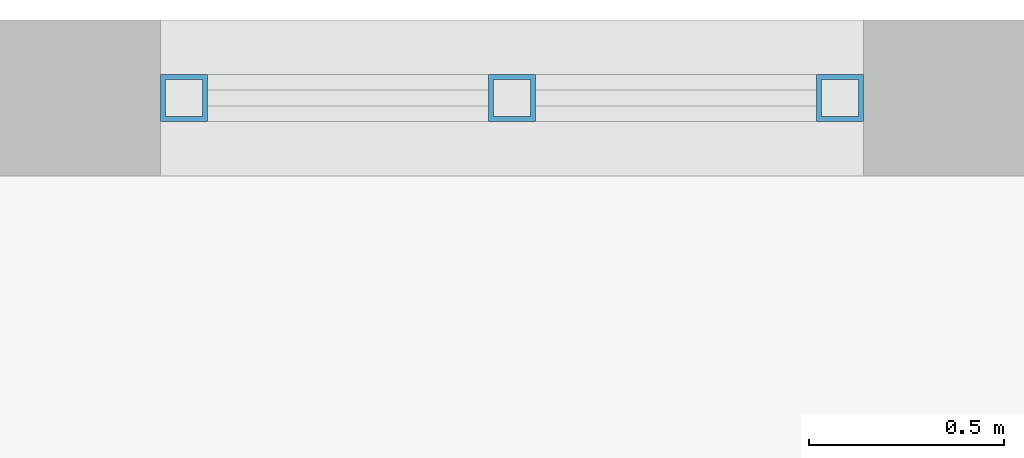
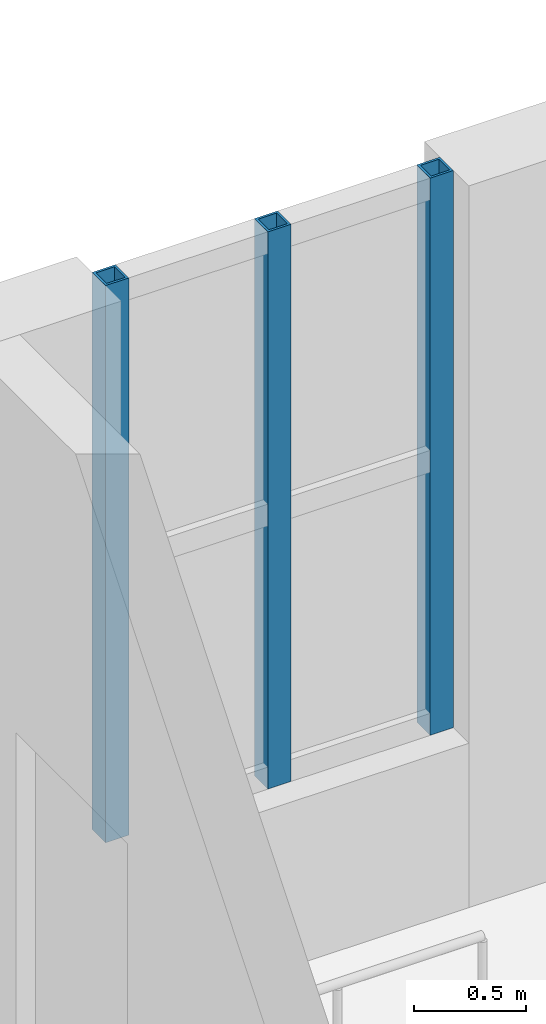
# One storey, part 62 of 121: 3 members, 1 element without a shape of its own.
"""IFC4 building model written with IfcOpenShell, lengths in metres."""

from ifc_helpers import new_model, si_unit, direction, frame, origin, origin_2d, place, context, subcontext, project, spatial, hollow_rectangle, extrude, material, material_profile, profile_set, type_object, element, aggregate, save


model = new_model("IFC4")

# Units and contexts
model_context = context("Model", 3, precision=1e-05, world=origin(), true_north=direction((0.0, 1.0)))
body_context = subcontext(model_context, "Body", "Model", "MODEL_VIEW")
ifc_project = project(units=[si_unit("LENGTHUNIT", "METRE"), si_unit("AREAUNIT", "SQUARE_METRE"), si_unit("VOLUMEUNIT", "CUBIC_METRE"), si_unit("PLANEANGLEUNIT", "RADIAN"), si_unit("MASSUNIT", "GRAM", prefix="KILO")], contexts=[model_context])

# Site, building, storey
site_placement = place(None, origin())
site = spatial("IfcSite", under=ifc_project, at=site_placement, CompositionType="ELEMENT")
building_placement = place(site_placement, origin())
building = spatial("IfcBuilding", under=site, at=building_placement, Name="Golden Quay Civic Hall", CompositionType="ELEMENT")
storey_placement = place(building_placement, frame((0.0, 0.0, 18.60009765625)))
storey = spatial("IfcBuildingStorey", under=building, at=storey_placement, Name="L04", CompositionType="ELEMENT", Elevation=18.60009765625)

# Curtain wall, members
ifc_material_1 = material(Name="Fire-resisting glass and steel", Category="steel")
curtain_wall_type = type_object("IfcCurtainWallType", Name="Fire-resisting glazed stair curtain wall EI 120", PredefinedType="NOTDEFINED", material=ifc_material_1)
curtain_wall_placement = place(storey_placement, origin())
curtain_wall = element("IfcCurtainWall", 1, at=curtain_wall_placement, inside=storey, type_object=curtain_wall_type, Name="CW4 stair curtain wall", PredefinedType="NOTDEFINED")
ifc_material_2 = material(Name="Steel S355", Category="steel")
ifc_material_profile = material_profile(ifc_material_2, hollow_rectangle(XDim=0.1201171875, YDim=0.1201171875, WallThickness=0.012451171875, at=origin_2d()), Name="SHS 120x120x12.5")
ifc_profile_set = profile_set([ifc_material_profile], Name="Steel S355")
member_type = type_object("IfcMemberType", Name="Fire-resisting steel stair mullion 120 x 120", PredefinedType="MULLION", material=ifc_profile_set)
member_1_placement = place(storey_placement, frame((66.784912109375, 108.0, 0.89990234375), z_axis=(0.0, 0.0, 1.0), x_axis=(0.0, 1.0, 0.0)))
member_1 = element("IfcMember", 2, at=member_1_placement, type_object=member_type, Name="CW4 mullion 1", PredefinedType="MULLION", context=body_context, shape_type="SweptSolid", body=[
    extrude(hollow_rectangle(XDim=0.1201171875, YDim=0.1201171875, WallThickness=0.012451171875, at=origin_2d()), origin(), (0.0, 0.0, 1.0), 3.050048828125),
])
member_2_placement = place(storey_placement, frame((67.625, 108.0, 0.89990234375), z_axis=(0.0, 0.0, 1.0), x_axis=(0.0, 1.0, 0.0)))
member_2 = element("IfcMember", 3, at=member_2_placement, type_object=member_type, Name="CW4 mullion 2", PredefinedType="MULLION", context=body_context, shape_type="SweptSolid", body=[
    extrude(hollow_rectangle(XDim=0.1201171875, YDim=0.1201171875, WallThickness=0.012451171875, at=origin_2d()), origin(), (0.0, 0.0, 1.0), 3.050048828125),
])
member_3_placement = place(storey_placement, frame((68.465087890625, 108.0, 0.89990234375), z_axis=(0.0, 0.0, 1.0), x_axis=(0.0, 1.0, 0.0)))
member_3 = element("IfcMember", 4, at=member_3_placement, type_object=member_type, Name="CW4 mullion 3", PredefinedType="MULLION", context=body_context, shape_type="SweptSolid", body=[
    extrude(hollow_rectangle(XDim=0.1201171875, YDim=0.1201171875, WallThickness=0.012451171875, at=origin_2d()), origin(), (0.0, 0.0, 1.0), 3.050048828125),
])
aggregate(curtain_wall, [member_1, member_2, member_3])

save(model, "model.ifc")
